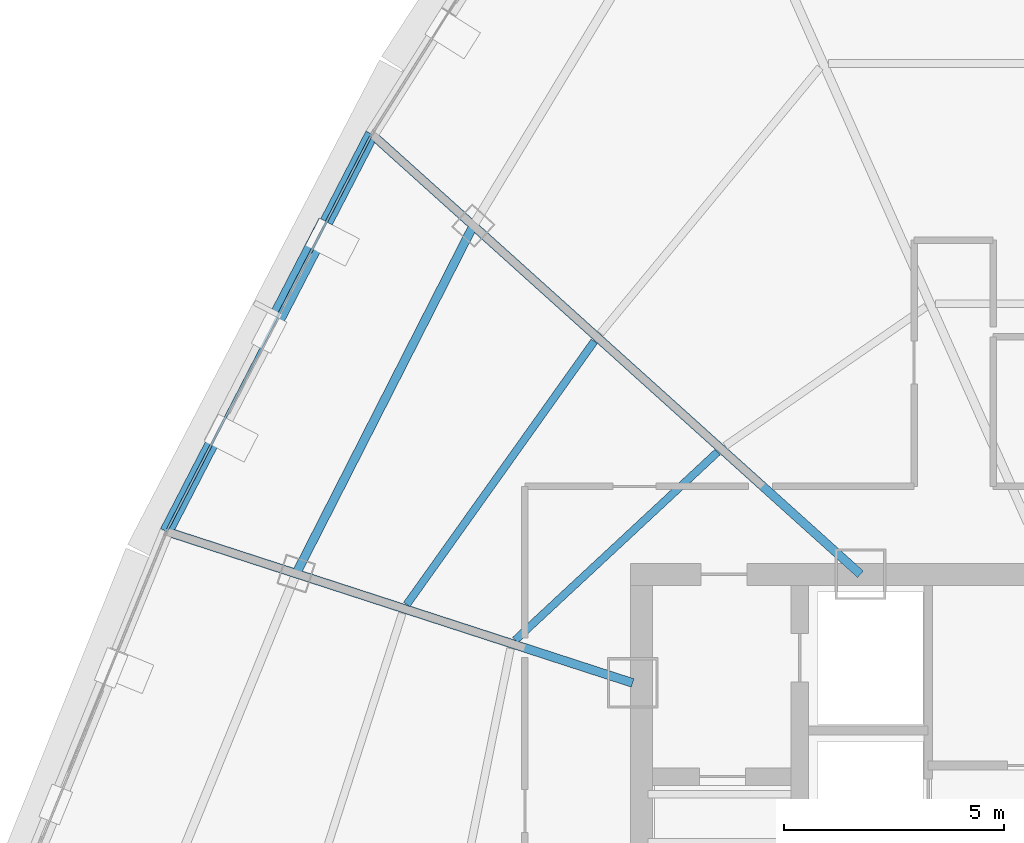
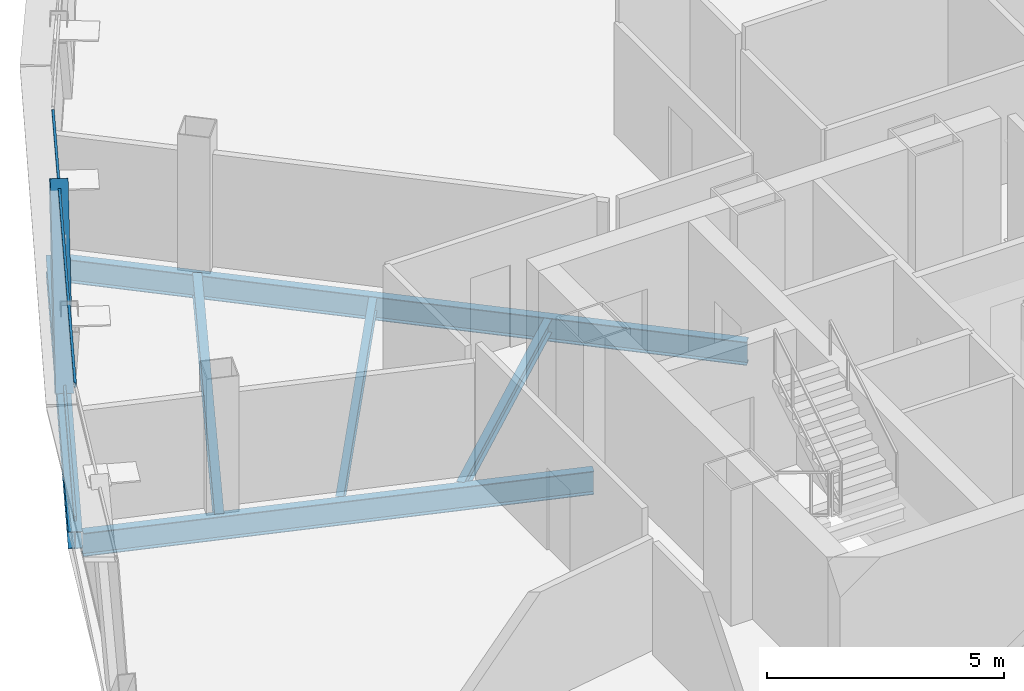
# One storey, part 8 of 27: 6 beams, 3 members, 1 element without a shape of its own.
"""IFC4 building model written with IfcOpenShell, lengths in metres."""

from ifc_helpers import new_model, si_unit, direction, frame, origin, origin_2d, place, context, subcontext, project, spatial, hollow_rectangle, i_section, extrude, source, transform, mapped, material, layer, layer_set, material_profile, profile_set, type_object, element, aggregate, save


model = new_model("IFC4")

# Units and contexts
model_context = context("Model", 3, precision=1e-05, world=origin(), true_north=direction((0.0, 1.0)))
body_context = subcontext(model_context, "Body", "Model", "MODEL_VIEW")
ifc_project = project(units=[si_unit("LENGTHUNIT", "METRE"), si_unit("AREAUNIT", "SQUARE_METRE"), si_unit("VOLUMEUNIT", "CUBIC_METRE"), si_unit("PLANEANGLEUNIT", "RADIAN"), si_unit("MASSUNIT", "GRAM", prefix="KILO"), si_unit("THERMODYNAMICTEMPERATUREUNIT", "KELVIN"), si_unit("POWERUNIT", "WATT")], contexts=[model_context])

# Site, building, storey
site_placement = place(None, origin())
site = spatial("IfcSite", under=ifc_project, at=site_placement, CompositionType="ELEMENT")
building_placement = place(site_placement, origin())
building = spatial("IfcBuilding", under=site, at=building_placement, Name="Yunzhuo Pagoda Commons", CompositionType="ELEMENT")
storey_placement = place(building_placement, frame((0.0, 0.0, 344.260009765625)))
storey = spatial("IfcBuildingStorey", under=building, at=storey_placement, Name="L86", CompositionType="ELEMENT", Elevation=344.260009765625)

# Beams
ifc_material_1 = material(Name="Structural steel Q355B", Category="steel")
ifc_material_profile_1 = material_profile(ifc_material_1, i_section(OverallWidth=0.199951171875, OverallDepth=0.60009765625, WebThickness=0.010986328125, FlangeThickness=0.01708984375, at=origin_2d()), Name="Structural steel Q355B")
ifc_profile_set_1 = profile_set([ifc_material_profile_1], Name="Structural steel Q355B")
beam_type_1 = type_object("IfcBeamType", Name="B-RG3 Beam HN 600x200x11x17", PredefinedType="BEAM", material=ifc_profile_set_1)
shared_shape_1 = source(origin(), body_context, "Body", "SweptSolid", [
    extrude(i_section(OverallWidth=0.199951171875, OverallDepth=0.60009765625, WebThickness=0.010986328125, FlangeThickness=0.01708984375, at=origin_2d()), origin(), (0.0, 0.0, 1.0), 8.87939453125),
])
beam_1_placement = place(storey_placement, frame((31.975341796875, 48.128662109375, -0.56005859375), z_axis=(-0.453723535687, -0.891142498798, 0.0), x_axis=(0.891142498798, -0.453723535687, 0.0)))
element("IfcBeam", 1, at=beam_1_placement, inside=storey, type_object=beam_type_1, Name="L86 column-ring beam 10", PredefinedType="BEAM", context=body_context, shape_type="MappedRepresentation", body=[
    mapped(shared_shape_1, transform((0.0, 0.0, 0.0), scale=1.0)),
])
ifc_material_profile_2 = material_profile(ifc_material_1, i_section(OverallWidth=0.175048828125, OverallDepth=0.35009765625, WebThickness=0.007080078125, FlangeThickness=0.010986328125, at=origin_2d()), Name="Structural steel Q355B")
ifc_profile_set_2 = profile_set([ifc_material_profile_2], Name="Structural steel Q355B")
beam_type_2 = type_object("IfcBeamType", Name="B-JS2 Joist HN 350x175x7x11", PredefinedType="JOIST", material=ifc_profile_set_2)
shared_shape_2 = source(origin(), body_context, "Body", "SweptSolid", [
    extrude(i_section(OverallWidth=0.175048828125, OverallDepth=0.35009765625, WebThickness=0.007080078125, FlangeThickness=0.010986328125, at=origin_2d()), origin(), (0.0, 0.0, 1.0), 6.277099609375),
])
beam_2_placement = place(storey_placement, frame((37.526611328125, 42.97607421875, -0.43505859375), z_axis=(-0.73244154109, -0.68082992655, 0.0), x_axis=(0.68082992655, -0.73244154109, 0.0)))
element("IfcBeam", 2, at=beam_2_placement, inside=storey, type_object=beam_type_2, Name="L86 composite ring joist 1.10", PredefinedType="JOIST", context=body_context, shape_type="MappedRepresentation", body=[
    mapped(shared_shape_2, transform((0.0, 0.0, 0.0), scale=1.0)),
])
shared_shape_3 = source(origin(), body_context, "Body", "SweptSolid", [
    extrude(i_section(OverallWidth=0.175048828125, OverallDepth=0.35009765625, WebThickness=0.007080078125, FlangeThickness=0.010986328125, at=origin_2d()), origin(), (0.0, 0.0, 1.0), 7.347900390625),
])
beam_3_placement = place(storey_placement, frame((34.726318359375, 45.497802734375, -0.43505859375), z_axis=(-0.580294898948, -0.814406428177, 0.0), x_axis=(0.814406428177, -0.580294898948, 0.0)))
element("IfcBeam", 3, at=beam_3_placement, inside=storey, type_object=beam_type_2, Name="L86 composite ring joist 2.10", PredefinedType="JOIST", context=body_context, shape_type="MappedRepresentation", body=[
    mapped(shared_shape_3, transform((0.0, 0.0, 0.0), scale=1.0)),
])
shared_shape_4 = source(origin(), body_context, "Body", "SweptSolid", [
    extrude(i_section(OverallWidth=0.199951171875, OverallDepth=0.60009765625, WebThickness=0.010986328125, FlangeThickness=0.01708984375, at=origin_2d()), origin(), (0.0, 0.0, 1.0), 10.99365234375),
])
beam_4_placement = place(storey_placement, frame((25.14453125, 41.126220703125, -0.56005859375), z_axis=(0.951056587506, -0.30901677521, 0.0), x_axis=(0.30901677521, 0.951056587506, 0.0)))
element("IfcBeam", 4, at=beam_4_placement, inside=storey, type_object=beam_type_1, Name="L86 radial floor girder F3C3", PredefinedType="BEAM", context=body_context, shape_type="MappedRepresentation", body=[
    mapped(shared_shape_4, transform((0.0, 0.0, 0.0), scale=1.0)),
])
shared_shape_5 = source(origin(), body_context, "Body", "SweptSolid", [
    extrude(i_section(OverallWidth=0.199951171875, OverallDepth=0.60009765625, WebThickness=0.010986328125, FlangeThickness=0.01708984375, at=origin_2d()), origin(), (0.0, 0.0, 1.0), 14.802001953125),
])
beam_5_placement = place(storey_placement, frame((29.781005859375, 50.1044921875, -0.56005859375), z_axis=(0.743141582684, -0.669134207828, 0.0), x_axis=(0.669134207828, 0.743141582684, 0.0)))
element("IfcBeam", 5, at=beam_5_placement, inside=storey, type_object=beam_type_1, Name="L86 radial floor girder F3C2", PredefinedType="BEAM", context=body_context, shape_type="MappedRepresentation", body=[
    mapped(shared_shape_5, transform((0.0, 0.0, 0.0), scale=1.0)),
])
ifc_material_profile_3 = material_profile(ifc_material_1, i_section(OverallWidth=0.300048828125, OverallDepth=0.43994140625, WebThickness=0.010986328125, FlangeThickness=0.01806640625, at=origin_2d()), Name="Structural steel Q355B")
ifc_profile_set_3 = profile_set([ifc_material_profile_3], Name="Structural steel Q355B")
beam_type_3 = type_object("IfcBeamType", Name="B-SP2 Beam HM 440x300x11x18", PredefinedType="BEAM", material=ifc_profile_set_3)
shared_shape_6 = source(origin(), body_context, "Body", "SweptSolid", [
    extrude(i_section(OverallWidth=0.300048828125, OverallDepth=0.43994140625, WebThickness=0.010986328125, FlangeThickness=0.01806640625, at=origin_2d()), origin(), (0.0, 0.0, 1.0), 10.169189453125),
])
beam_6_placement = place(storey_placement, frame((29.666015625, 50.2080078125, -0.47998046875), z_axis=(-0.459129639979, -0.888369277774, 0.0), x_axis=(0.888369277774, -0.459129639979, 0.0)))
element("IfcBeam", 6, at=beam_6_placement, inside=storey, type_object=beam_type_3, Name="L86 facade edge spandrel beam F3.2", PredefinedType="BEAM", context=body_context, shape_type="MappedRepresentation", body=[
    mapped(shared_shape_6, transform((0.0, 0.0, 0.0), scale=1.0)),
])

# Member
ifc_material_profile_4 = material_profile(ifc_material_1, hollow_rectangle(XDim=0.3798828125, YDim=0.719970703125, WallThickness=0.02001953125, at=origin_2d()), Name="Structural steel Q355B")
ifc_profile_set_4 = profile_set([ifc_material_profile_4], Name="Structural steel Q355B")
member_type_1 = type_object("IfcMemberType", Name="M-DL3 Brace BOX 720x380x20", PredefinedType="BRACE", material=ifc_profile_set_4)
shared_shape_7 = source(origin(), body_context, "Body", "SweptSolid", [
    extrude(hollow_rectangle(XDim=0.3798828125, YDim=0.719970703125, WallThickness=0.02001953125, at=origin_2d()), origin(), (0.0, 0.0, 1.0), 4.530517578125),
])
member_1_placement = place(storey_placement, frame((27.33154296875, 45.691162109375, -0.260009765625), z_axis=(0.257585953682, 0.498520430441, 0.82772390137), x_axis=(-0.88841350482, 0.459044055025, 0.0)))
element("IfcMember", 7, at=member_1_placement, inside=storey, type_object=member_type_1, Name="L86 facade diamond brace F3.2L", PredefinedType="BRACE", context=body_context, shape_type="MappedRepresentation", body=[
    mapped(shared_shape_7, transform((0.0, 0.0, 0.0), scale=1.0)),
])

# Curtain wall, members
ifc_material_2 = material(Name="Anodized aluminium 6063-T6", Category="aluminium")
ifc_layer = layer(ifc_material_2, 0.139892578125)
ifc_layer_set = layer_set([ifc_layer], Name="Anodized aluminium 6063-T6")
curtain_wall_type = type_object("IfcCurtainWallType", Name="CW-HI High-Zone Ribbon Curtain Wall", PredefinedType="NOTDEFINED", material=ifc_layer_set)
curtain_wall_placement = place(storey_placement, origin())
curtain_wall = element("IfcCurtainWall", 8, at=curtain_wall_placement, inside=storey, type_object=curtain_wall_type, Name="L86 curtain wall CW-L86-F3B3", PredefinedType="NOTDEFINED")
ifc_material_profile_5 = material_profile(ifc_material_2, hollow_rectangle(XDim=0.054931640625, YDim=0.1201171875, WallThickness=0.00341796875, at=origin_2d()), Name="Anodized aluminium 6063-T6")
ifc_profile_set_5 = profile_set([ifc_material_profile_5], Name="Anodized aluminium 6063-T6")
member_type_2 = type_object("IfcMemberType", Name="CW-HI-T Transom RHS 120x55x3.5", PredefinedType="USERDEFINED", material=ifc_profile_set_5)
shared_shape_8 = source(origin(), body_context, "Body", "SweptSolid", [
    extrude(hollow_rectangle(XDim=0.054931640625, YDim=0.1201171875, WallThickness=0.00341796875, at=origin_2d()), origin(), (0.0, 0.0, 1.0), 10.049072265625),
])
member_2_placement = place(storey_placement, frame((29.63818359375, 50.15478515625, 0.027587890625), z_axis=(-0.459097712328, -0.88838577799, 0.0), x_axis=(0.88838577799, -0.459097712328, 0.0)))
member_2 = element("IfcMember", 9, at=member_2_placement, type_object=member_type_2, Name="CW transom 1.1", ObjectType="TRANSOM", PredefinedType="USERDEFINED", context=body_context, shape_type="MappedRepresentation", body=[
    mapped(shared_shape_8, transform((0.0, 0.0, 0.0), scale=1.0)),
])
member_3_placement = place(storey_placement, frame((29.63818359375, 50.15478515625, 3.46240234375), z_axis=(-0.459097712328, -0.88838577799, 0.0), x_axis=(0.88838577799, -0.459097712328, 0.0)))
member_3 = element("IfcMember", 10, at=member_3_placement, type_object=member_type_2, Name="CW transom 1.2", ObjectType="TRANSOM", PredefinedType="USERDEFINED", context=body_context, shape_type="MappedRepresentation", body=[
    mapped(shared_shape_8, transform((0.0, 0.0, 0.0), scale=1.0)),
])
aggregate(curtain_wall, [member_2, member_3])

save(model, "model.ifc")
